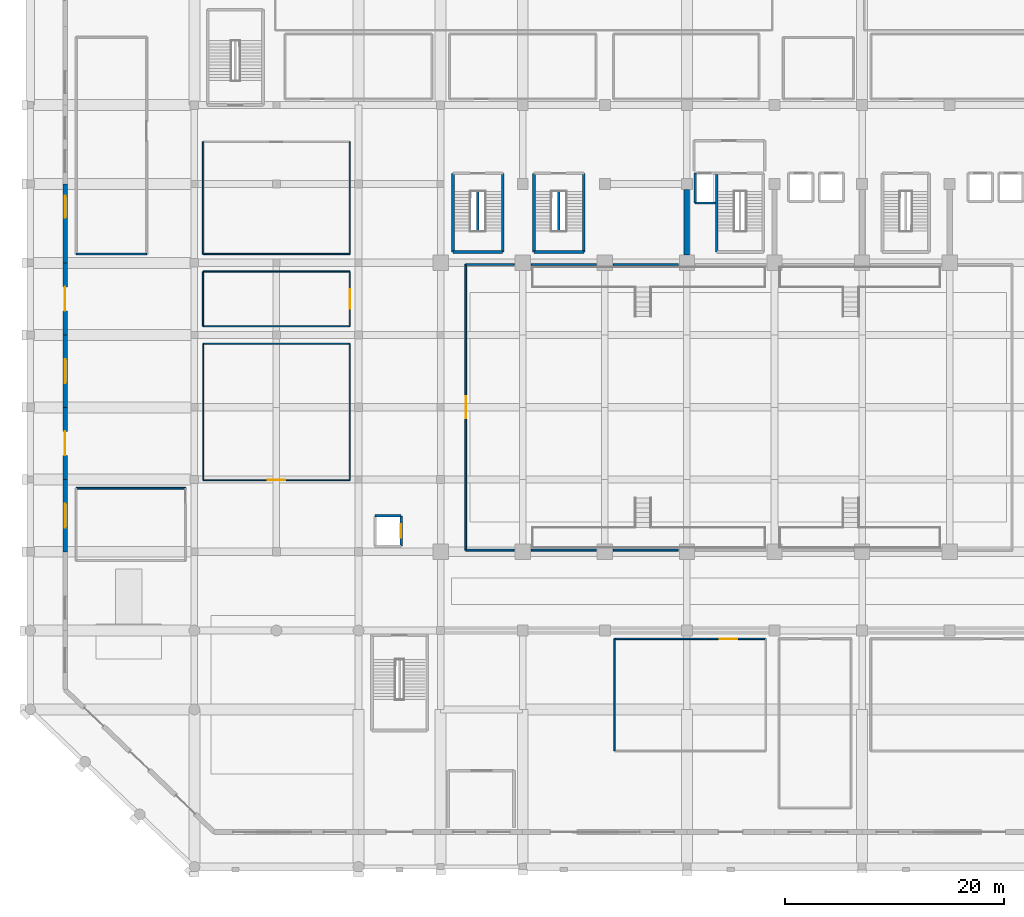
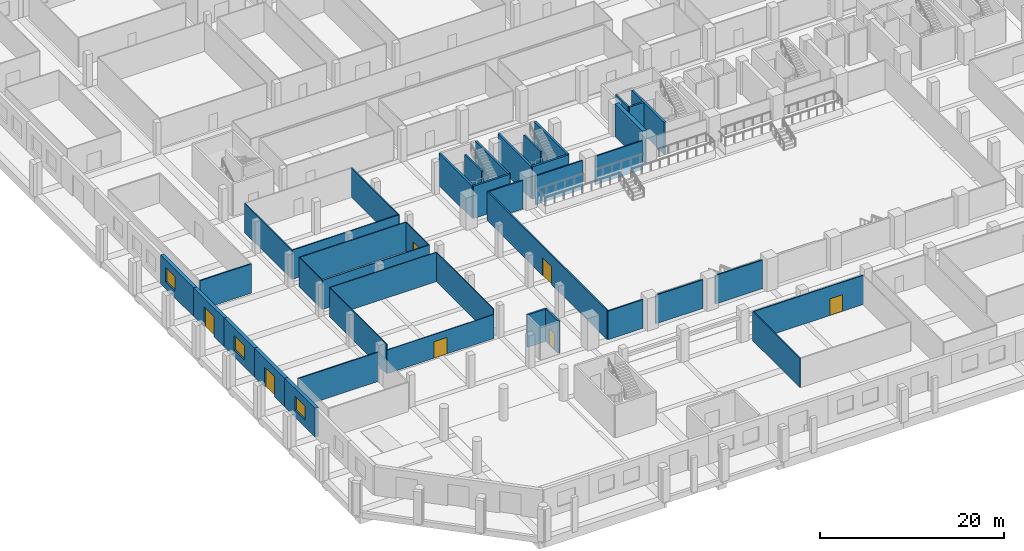
# One storey, part 12 of 33: 41 walls, 7 doors, 3 windows, 10 openings.
"""IFC4 building model written with IfcOpenShell, lengths in metres."""

import ifcopenshell
import ifcopenshell.guid

model = None  # the IFC model being written
_history = None  # IfcOwnerHistory: only IFC2X3 demands one
_inside = {}  # id of a spatial element -> (the spatial element, [elements in it])
_under = {}  # id of a project, library or spatial element -> (it, [spatial elements below it])
_declared = {}  # id of a project -> (the project, [libraries it declares])
_typed = {}  # id of a type object -> (the type object, [elements of that type])
_made_of = {}  # id of a material, layer set ... -> (it, [elements and type objects made of it])


def new_model(schema):
    """Start an empty IFC model of exactly this schema.

    Asked for "IFC4X3", IfcOpenShell would pick the latest addendum, in which some entities
    have other attributes; the version numbers below select the first issue.
    IFC2X3 requires an IfcOwnerHistory on every rooted entity: one is made here for all.
    """
    global model, _history
    if schema == "IFC4X3":
        model = ifcopenshell.file(schema_version=(4, 3, 0, 0))
    else:
        model = ifcopenshell.file(schema=schema)
    _inside.clear()
    _under.clear()
    _declared.clear()
    _typed.clear()
    _made_of.clear()
    _history = None
    if model.schema == "IFC2X3":
        org = make("IfcOrganization", Name="unknown")
        user = make(
            "IfcPersonAndOrganization",
            ThePerson=make("IfcPerson", FamilyName="unknown"),
            TheOrganization=org,
        )
        app = make(
            "IfcApplication",
            ApplicationDeveloper=org,
            Version="unknown",
            ApplicationFullName="unknown",
            ApplicationIdentifier="unknown",
        )
        _history = make(
            "IfcOwnerHistory",
            OwningUser=user,
            OwningApplication=app,
            ChangeAction="ADDED",
            CreationDate=0,
        )
    return model


def make(cls, **values):
    """One entity of the class cls with the attributes given. An attribute that is None is left unset."""
    return model.create_entity(
        cls, **{name: value for name, value in values.items() if value is not None}
    )


def rooted(cls, **values):
    """An entity with a GlobalId (a new one), such as an element, a storey or a relation."""
    return make(cls, GlobalId=ifcopenshell.guid.new(), OwnerHistory=_history, **values)


def si_unit(unit_type, name, prefix=None):
    """IfcSIUnit, for example si_unit("LENGTHUNIT", "METRE", prefix="MILLI")."""
    return make("IfcSIUnit", UnitType=unit_type, Prefix=prefix, Name=name)


def assignment(units):
    """IfcUnitAssignment: the units of a project."""
    return None if units is None else make("IfcUnitAssignment", Units=units)


def point(xyz):
    """IfcCartesianPoint."""
    return None if xyz is None else make("IfcCartesianPoint", Coordinates=xyz)


def direction(xyz):
    """IfcDirection."""
    return None if xyz is None else make("IfcDirection", DirectionRatios=xyz)


def frame(location, z_axis=None, x_axis=None):
    """IfcAxis2Placement3D, a coordinate frame: its origin and axes. An axis left out is left unset."""
    return make(
        "IfcAxis2Placement3D",
        Location=point(location),
        Axis=direction(z_axis),
        RefDirection=direction(x_axis),
    )


def frame_2d(location, x_axis=None):
    """IfcAxis2Placement2D, a coordinate frame in the plane: its origin and x axis."""
    return make(
        "IfcAxis2Placement2D", Location=point(location), RefDirection=direction(x_axis)
    )


def origin():
    """The frame at (0, 0, 0) with its axes left unset."""
    return frame((0.0, 0.0, 0.0))


def place(relative_to, where):
    """IfcLocalPlacement: puts the frame where relative to a parent placement (None: the world)."""
    return make(
        "IfcLocalPlacement", PlacementRelTo=relative_to, RelativePlacement=where
    )


def context(
    kind, dimensions, precision=None, world=None, true_north=None, identifier=None
):
    """IfcGeometricRepresentationContext, for example the 3D "Model" context."""
    return make(
        "IfcGeometricRepresentationContext",
        ContextIdentifier=identifier,
        ContextType=kind,
        CoordinateSpaceDimension=dimensions,
        Precision=precision,
        WorldCoordinateSystem=world,
        TrueNorth=true_north,
    )


def subcontext(parent, identifier, kind, view, scale=None):
    """IfcGeometricRepresentationSubContext, for example "Body" below "Model"."""
    return make(
        "IfcGeometricRepresentationSubContext",
        ContextIdentifier=identifier,
        ContextType=kind,
        ParentContext=parent,
        TargetScale=scale,
        TargetView=view,
    )


def project(units=None, contexts=None):
    """IfcProject with its units and contexts."""
    return rooted(
        "IfcProject",
        Name="project",
        RepresentationContexts=contexts,
        UnitsInContext=assignment(units),
    )


def spatial(cls, under=None, at=None, **own):
    """A site, building, storey or space (cls), placed at a placement, below another one or the project."""
    s = rooted(cls, ObjectPlacement=at, **own)
    if under is not None:
        _under.setdefault(under.id(), (under, []))[1].append(s)
    return s


def profile(cls, at=None, kind="AREA", **sizes):
    """A parametric profile (cls). Its sizes go by their IFC names, for example OverallWidth=200.0."""
    return make(cls, ProfileType=kind, Position=at, **sizes)


def rectangle(**sizes):
    """IfcRectangleProfileDef."""
    return profile("IfcRectangleProfileDef", **sizes)


def extrude(swept, where, along, depth):
    """IfcExtrudedAreaSolid: the profile swept, set in the frame where, extruded along a direction by depth."""
    return make(
        "IfcExtrudedAreaSolid",
        SweptArea=swept,
        Position=where,
        ExtrudedDirection=direction(along),
        Depth=depth,
    )


def shape(context_of_items, identifier, shape_type, items):
    """IfcShapeRepresentation: the items that make up one representation, for example the "Body"."""
    return make(
        "IfcShapeRepresentation",
        ContextOfItems=context_of_items,
        RepresentationIdentifier=identifier,
        RepresentationType=shape_type,
        Items=items,
    )


def material(Name=None, Category=None):
    """IfcMaterial."""
    return make("IfcMaterial", Name=Name, Category=Category)


def layer(
    of_material, thickness, ventilated=None, Name=None, Category=None, Priority=None
):
    """IfcMaterialLayer: one layer of a wall or slab, of a material (None: an air gap)."""
    return make(
        "IfcMaterialLayer",
        Material=of_material,
        LayerThickness=thickness,
        IsVentilated=ventilated,
        Name=Name,
        Category=Category,
        Priority=Priority,
    )


def layer_set(layers, Name=None):
    """IfcMaterialLayerSet."""
    return make("IfcMaterialLayerSet", MaterialLayers=layers, LayerSetName=Name)


def made_of(thing, what):
    """Note that an element or type object is made of a material, layer set ...; save() writes the relation."""
    if what is not None:
        _made_of.setdefault(what.id(), (what, []))[1].append(thing)
    return thing


def type_object(cls, material=None, **own):
    """A type object (cls), such as IfcWallType, which elements share."""
    return made_of(rooted(cls, **own), material)


def element(
    cls,
    number,
    at=None,
    inside=None,
    cuts=None,
    type_object=None,
    material=None,
    context=None,
    identifier="Body",
    shape_type=None,
    held_by="IfcProductDefinitionShape",
    body=None,
    shapes=None,
    **own,
):
    """One element of the class cls, such as IfcWall. Its Tag is "e" and its number.

    at: its placement. inside: the storey or other place that contains it. cuts: it is an
    opening in that element (IfcRelVoidsElement). A single representation is given by context,
    identifier, shape_type and body (its items); several are given by shapes. held_by: the class
    of the entity that holds the representations. save() writes the other relations.
    """
    e = rooted(cls, Tag="e%d" % number, ObjectPlacement=at, **own)
    if body is not None:
        shapes = [shape(context, identifier, shape_type, body)]
    if shapes is not None:
        e.Representation = make(held_by, Representations=shapes)
    if inside is not None:
        _inside.setdefault(inside.id(), (inside, []))[1].append(e)
    if cuts is not None:
        rooted(
            "IfcRelVoidsElement", RelatingBuildingElement=cuts, RelatedOpeningElement=e
        )
    if type_object is not None:
        _typed.setdefault(type_object.id(), (type_object, []))[1].append(e)
    return made_of(e, material)


def fill(opening, filler):
    """IfcRelFillsElement: the door or window that sits in an opening."""
    return rooted(
        "IfcRelFillsElement",
        RelatingOpeningElement=opening,
        RelatedBuildingElement=filler,
    )


def aggregate(whole, parts):
    """IfcRelAggregates: a whole, such as a stair, and the parts it consists of."""
    return rooted("IfcRelAggregates", RelatingObject=whole, RelatedObjects=parts)


def save(model, path):
    """Write the relations noted so far, then the file.

    IfcRelAggregates (storeys below a building ...), IfcRelContainedInSpatialStructure (elements
    in a storey), IfcRelDefinesByType, IfcRelAssociatesMaterial and IfcRelDeclares: one each for
    every whole, place, type object, material and project.
    """
    for whole, parts in _under.values():
        aggregate(whole, parts)
    for where, things in _inside.values():
        rooted(
            "IfcRelContainedInSpatialStructure",
            RelatedElements=things,
            RelatingStructure=where,
        )
    for kind, things in _typed.values():
        rooted("IfcRelDefinesByType", RelatedObjects=things, RelatingType=kind)
    for what, things in _made_of.values():
        rooted("IfcRelAssociatesMaterial", RelatedObjects=things, RelatingMaterial=what)
    for by, libraries in _declared.values():
        rooted("IfcRelDeclares", RelatingContext=by, RelatedDefinitions=libraries)
    model.write(path)


model = new_model("IFC4")

# Units and contexts
model_context = context("Model", 3, precision=1e-05, world=origin(), true_north=direction((0.0, 1.0)))
body_context = subcontext(model_context, "Body", "Model", "MODEL_VIEW")
ifc_project = project(units=[si_unit("LENGTHUNIT", "METRE"), si_unit("AREAUNIT", "SQUARE_METRE"), si_unit("VOLUMEUNIT", "CUBIC_METRE"), si_unit("PLANEANGLEUNIT", "RADIAN"), si_unit("MASSUNIT", "GRAM", prefix="KILO")], contexts=[model_context])

# Site, building, storey
site_placement = place(None, origin())
site = spatial("IfcSite", under=ifc_project, at=site_placement, CompositionType="ELEMENT")
building_placement = place(site_placement, origin())
building = spatial("IfcBuilding", under=site, at=building_placement, Name="Akrevak Sports Hall", CompositionType="ELEMENT")
storey_placement = place(building_placement, origin())
storey = spatial("IfcBuildingStorey", under=building, at=storey_placement, Name="L00", CompositionType="ELEMENT", Elevation=0.0)

# Wall, opening, window
ifc_material_1 = material(Name="Limestone Ashlar", Category="stone")
ifc_layer_1 = layer(ifc_material_1, 0.090087890625, Name="Limestone Ashlar")
ifc_material_2 = material(Name="Mineral Wool Thermal Insulation", Category="insulation")
ifc_layer_2 = layer(ifc_material_2, 0.110107421875, Name="Mineral Wool Thermal Insulation")
ifc_material_3 = material(Name="Concrete C40/50", Category="concrete")
ifc_layer_3 = layer(ifc_material_3, 0.219970703125, Name="Concrete C40/50")
ifc_layer_set_1 = layer_set([ifc_layer_1, ifc_layer_2, ifc_layer_3], Name="Limestone Ashlar / Mineral Wool Thermal Insulation / Concrete C40/50")
wall_type_1 = type_object("IfcWallType", Name="ARC-WL-EXT-420", PredefinedType="SOLIDWALL", material=ifc_layer_set_1)
wall_1_placement = place(storey_placement, frame((3.199951171875, 35.39990234375, 0.0), z_axis=(0.0, 0.0, 1.0), x_axis=(0.0, -1.0, 0.0)))
wall_1 = element("IfcWall", 1, at=wall_1_placement, inside=storey, type_object=wall_type_1, Name="West Boulevard Arcade Limestone Wall L00-W03", PredefinedType="SOLIDWALL", context=body_context, shape_type="SweptSolid", body=[
    extrude(rectangle(XDim=6.599853515625, YDim=0.419921875, at=frame_2d((3.2998046875, 0.0))), origin(), (0.0, 0.0, 1.0), 3.820068359375),
])
opening_1_placement = place(wall_1_placement, frame((2.199951171875, 0.0, 0.919921875)))
opening_1 = element("IfcOpeningElement", 2, at=opening_1_placement, cuts=wall_1, Name="Opening WN-27", PredefinedType="OPENING", context=body_context, shape_type="SweptSolid", body=[
    extrude(rectangle(XDim=2.199951171875, YDim=1.889892578125, at=frame_2d((1.10009765625, 0.94482421875))), frame((0.0, 0.221923828125, 0.0), z_axis=(0.0, -1.0, 0.0), x_axis=(1.0, 0.0, 0.0)), (0.0, 0.0, 1.0), 0.44384765625),
])
ifc_material_4 = material(Name="Thermally Broken Bronze Frame & Double Low-E Glass", Category="glass")
window_type_1 = type_object("IfcWindowType", Name="ARC-WIN-SZ-2200x1890", PartitioningType="SINGLE_PANEL", PredefinedType="WINDOW", material=ifc_material_4)
window_1_placement = place(opening_1_placement, origin())
window_1 = element("IfcWindow", 3, at=window_1_placement, inside=storey, type_object=window_type_1, Name="Beaux-Arts Facade Window WIN-L00-W03", OverallHeight=1.889892578125, OverallWidth=2.199951171875, PartitioningType="SINGLE_PANEL", PredefinedType="WINDOW", context=body_context, shape_type="SweptSolid", body=[
    extrude(rectangle(XDim=2.199951171875, YDim=1.889892578125, at=frame_2d((1.10009765625, 0.94482421875))), frame((0.0, 0.030029296875, 0.0), z_axis=(0.0, -1.0, 0.0), x_axis=(1.0, 0.0, 0.0)), (0.0, 0.0, 1.0), 0.06005859375),
])
fill(opening_1, window_1)

# Wall, opening, door
wall_2_placement = place(storey_placement, frame((3.199951171875, 42.0, 0.0), z_axis=(0.0, 0.0, 1.0), x_axis=(0.0, -1.0, 0.0)))
wall_2 = element("IfcWall", 4, at=wall_2_placement, inside=storey, type_object=wall_type_1, Name="West Boulevard Arcade Limestone Wall L00-W04", PredefinedType="SOLIDWALL", context=body_context, shape_type="SweptSolid", body=[
    extrude(rectangle(XDim=6.60009765625, YDim=0.419921875, at=frame_2d((3.300048828125, 0.0))), origin(), (0.0, 0.0, 1.0), 3.820068359375),
])
opening_2_placement = place(wall_2_placement, frame((2.199951171875, 0.0, 0.0)))
opening_2 = element("IfcOpeningElement", 5, at=opening_2_placement, cuts=wall_2, Name="Opening ED-02", PredefinedType="OPENING", context=body_context, shape_type="SweptSolid", body=[
    extrude(rectangle(XDim=2.199951171875, YDim=2.64990234375, at=frame_2d((1.10009765625, 1.324951171875))), frame((0.0, 0.221923828125, 0.0), z_axis=(0.0, -1.0, 0.0), x_axis=(1.0, 0.0, 0.0)), (0.0, 0.0, 1.0), 0.44384765625),
])
ifc_material_5 = material(Name="Anodized Bronze Aluminium & Tempered Glass", Category="aluminium")
door_type_1 = type_object("IfcDoorType", Name="ARC-DR-EXT-220x245", OperationType="DOUBLE_DOOR_SINGLE_SWING", PredefinedType="DOOR", material=ifc_material_5)
door_1_placement = place(opening_2_placement, frame((2.199951171875, 0.0, 0.0), z_axis=(0.0, 0.0, 1.0), x_axis=(-1.0, 0.0, 0.0)))
door_1 = element("IfcDoor", 6, at=door_1_placement, inside=storey, type_object=door_type_1, Name="West Boulevard Arcade Entrance ED06", OperationType="DOUBLE_DOOR_SINGLE_SWING", OverallHeight=2.64990234375, OverallWidth=2.199951171875, PredefinedType="DOOR", context=body_context, shape_type="SweptSolid", body=[
    extrude(rectangle(XDim=2.199951171875, YDim=2.64990234375, at=frame_2d((1.10009765625, 1.324951171875))), frame((0.0, 0.02490234375, 0.0), z_axis=(0.0, -1.0, 0.0), x_axis=(1.0, 0.0, 0.0)), (0.0, 0.0, 1.0), 0.050048828125),
])
fill(opening_2, door_1)

# Wall, opening, window
wall_3_placement = place(storey_placement, frame((3.199951171875, 48.60009765625, 0.0), z_axis=(0.0, 0.0, 1.0), x_axis=(0.0, -1.0, 0.0)))
wall_3 = element("IfcWall", 7, at=wall_3_placement, inside=storey, type_object=wall_type_1, Name="West Boulevard Arcade Limestone Wall L00-W05", PredefinedType="SOLIDWALL", context=body_context, shape_type="SweptSolid", body=[
    extrude(rectangle(XDim=6.60009765625, YDim=0.419921875, at=frame_2d((3.300048828125, 0.0))), origin(), (0.0, 0.0, 1.0), 3.820068359375),
])
opening_3_placement = place(wall_3_placement, frame((2.199951171875, 0.0, 0.919921875)))
opening_3 = element("IfcOpeningElement", 8, at=opening_3_placement, cuts=wall_3, Name="Opening WN-27", PredefinedType="OPENING", context=body_context, shape_type="SweptSolid", body=[
    extrude(rectangle(XDim=2.199951171875, YDim=1.889892578125, at=frame_2d((1.10009765625, 0.94482421875))), frame((0.0, 0.221923828125, 0.0), z_axis=(0.0, -1.0, 0.0), x_axis=(1.0, 0.0, 0.0)), (0.0, 0.0, 1.0), 0.44384765625),
])
window_2_placement = place(opening_3_placement, origin())
window_2 = element("IfcWindow", 9, at=window_2_placement, inside=storey, type_object=window_type_1, Name="Beaux-Arts Facade Window WIN-L00-W05", OverallHeight=1.889892578125, OverallWidth=2.199951171875, PartitioningType="SINGLE_PANEL", PredefinedType="WINDOW", context=body_context, shape_type="SweptSolid", body=[
    extrude(rectangle(XDim=2.199951171875, YDim=1.889892578125, at=frame_2d((1.10009765625, 0.94482421875))), frame((0.0, 0.030029296875, 0.0), z_axis=(0.0, -1.0, 0.0), x_axis=(1.0, 0.0, 0.0)), (0.0, 0.0, 1.0), 0.06005859375),
])
fill(opening_3, window_2)

# Wall, opening, door
wall_4_placement = place(storey_placement, frame((3.199951171875, 55.199951171875, 0.0), z_axis=(0.0, 0.0, 1.0), x_axis=(0.0, -1.0, 0.0)))
wall_4 = element("IfcWall", 10, at=wall_4_placement, inside=storey, type_object=wall_type_1, Name="West Boulevard Arcade Limestone Wall L00-W06", PredefinedType="SOLIDWALL", context=body_context, shape_type="SweptSolid", body=[
    extrude(rectangle(XDim=6.599853515625, YDim=0.419921875, at=frame_2d((3.2998046875, 0.0))), origin(), (0.0, 0.0, 1.0), 3.820068359375),
])
opening_4_placement = place(wall_4_placement, frame((2.199951171875, 0.0, 0.0)))
opening_4 = element("IfcOpeningElement", 11, at=opening_4_placement, cuts=wall_4, Name="Opening ED-02", PredefinedType="OPENING", context=body_context, shape_type="SweptSolid", body=[
    extrude(rectangle(XDim=2.199951171875, YDim=2.64990234375, at=frame_2d((1.10009765625, 1.324951171875))), frame((0.0, 0.221923828125, 0.0), z_axis=(0.0, -1.0, 0.0), x_axis=(1.0, 0.0, 0.0)), (0.0, 0.0, 1.0), 0.44384765625),
])
door_2_placement = place(opening_4_placement, frame((2.199951171875, 0.0, 0.0), z_axis=(0.0, 0.0, 1.0), x_axis=(-1.0, 0.0, 0.0)))
door_2 = element("IfcDoor", 12, at=door_2_placement, inside=storey, type_object=door_type_1, Name="West Boulevard Spectator Exit ED07", OperationType="DOUBLE_DOOR_SINGLE_SWING", OverallHeight=2.64990234375, OverallWidth=2.199951171875, PredefinedType="DOOR", context=body_context, shape_type="SweptSolid", body=[
    extrude(rectangle(XDim=2.199951171875, YDim=2.64990234375, at=frame_2d((1.10009765625, 1.324951171875))), frame((0.0, 0.02490234375, 0.0), z_axis=(0.0, -1.0, 0.0), x_axis=(1.0, 0.0, 0.0)), (0.0, 0.0, 1.0), 0.050048828125),
])
fill(opening_4, door_2)

# Wall, opening, window
wall_5_placement = place(storey_placement, frame((3.199951171875, 62.39990234375, 0.0), z_axis=(0.0, 0.0, 1.0), x_axis=(0.0, -1.0, 0.0)))
wall_5 = element("IfcWall", 13, at=wall_5_placement, inside=storey, type_object=wall_type_1, Name="West Boulevard Arcade Limestone Wall L00-W07", PredefinedType="SOLIDWALL", context=body_context, shape_type="SweptSolid", body=[
    extrude(rectangle(XDim=7.199951171875, YDim=0.419921875, at=frame_2d((3.60009765625, 0.0))), origin(), (0.0, 0.0, 1.0), 3.820068359375),
])
opening_5_placement = place(wall_5_placement, frame((1.087890625, 0.0, 0.919921875)))
opening_5 = element("IfcOpeningElement", 14, at=opening_5_placement, cuts=wall_5, Name="Opening WN-28", PredefinedType="OPENING", context=body_context, shape_type="SweptSolid", body=[
    extrude(rectangle(XDim=2.0, YDim=1.889892578125, at=frame_2d((1.0, 0.94482421875))), frame((0.0, 0.221923828125, 0.0), z_axis=(0.0, -1.0, 0.0), x_axis=(1.0, 0.0, 0.0)), (0.0, 0.0, 1.0), 0.44384765625),
])
window_type_2 = type_object("IfcWindowType", Name="ARC-WIN-SZ-2000x1890", PartitioningType="SINGLE_PANEL", PredefinedType="WINDOW", material=ifc_material_4)
window_3_placement = place(opening_5_placement, origin())
window_3 = element("IfcWindow", 15, at=window_3_placement, inside=storey, type_object=window_type_2, Name="Beaux-Arts Facade Window WIN-L00-W07-2", OverallHeight=1.889892578125, OverallWidth=2.0, PartitioningType="SINGLE_PANEL", PredefinedType="WINDOW", context=body_context, shape_type="SweptSolid", body=[
    extrude(rectangle(XDim=2.0, YDim=1.889892578125, at=frame_2d((1.0, 0.94482421875))), frame((0.0, 0.030029296875, 0.0), z_axis=(0.0, -1.0, 0.0), x_axis=(1.0, 0.0, 0.0)), (0.0, 0.0, 1.0), 0.06005859375),
])
fill(opening_5, window_3)

# Wall, opening, door
ifc_material_6 = material(Name="Sanitary Cubicle Partition", Category="gypsum")
ifc_layer_4 = layer(ifc_material_6, 0.10009765625, Name="Sanitary Cubicle Partition")
ifc_layer_set_2 = layer_set([ifc_layer_4], Name="Sanitary Cubicle Partition")
wall_type_2 = type_object("IfcWallType", Name="ARC-WL-PRT-100", PredefinedType="PARTITIONING", material=ifc_layer_set_2)
wall_6_placement = place(storey_placement, frame((15.800048828125, 35.35009765625, 0.0), z_axis=(0.0, 0.0, 1.0), x_axis=(1.0, 0.0, 0.0)))
wall_6 = element("IfcWall", 16, at=wall_6_placement, inside=storey, type_object=wall_type_2, Name="Interior Partition West Boulevard Sports Medicine Office L00-1 (S)", PredefinedType="PARTITIONING", context=body_context, shape_type="SweptSolid", body=[
    extrude(rectangle(XDim=13.39990234375, YDim=0.10009765625, at=frame_2d((6.699951171875, 0.0))), origin(), (0.0, 0.0, 1.0), 3.14990234375),
])
opening_6_placement = place(wall_6_placement, frame((5.89990234375, 0.0, 0.0)))
opening_6 = element("IfcOpeningElement", 17, at=opening_6_placement, cuts=wall_6, Name="Opening ID-03", PredefinedType="OPENING", context=body_context, shape_type="SweptSolid", body=[
    extrude(rectangle(XDim=1.60009765625, YDim=2.199951171875, at=frame_2d((0.800048828125, 1.10009765625))), frame((0.0, 0.06201171875, 0.0), z_axis=(0.0, -1.0, 0.0), x_axis=(1.0, 0.0, 0.0)), (0.0, 0.0, 1.0), 0.1240234375),
])
ifc_material_7 = material(Name="Hardwood Oak & Safety Glass", Category="wood")
door_type_2 = type_object("IfcDoorType", Name="ARC-DR-HALL-160x220", OperationType="DOUBLE_DOOR_SINGLE_SWING", PredefinedType="DOOR", material=ifc_material_7)
door_3_placement = place(opening_6_placement, origin())
door_3 = element("IfcDoor", 18, at=door_3_placement, inside=storey, type_object=door_type_2, Name="Door to West Boulevard Sports Medicine Office L00-1", OperationType="DOUBLE_DOOR_SINGLE_SWING", OverallHeight=2.199951171875, OverallWidth=1.60009765625, PredefinedType="DOOR", context=body_context, shape_type="SweptSolid", body=[
    extrude(rectangle(XDim=1.60009765625, YDim=2.199951171875, at=frame_2d((0.800048828125, 1.10009765625))), frame((0.0, 0.02490234375, 0.0), z_axis=(0.0, -1.0, 0.0), x_axis=(1.0, 0.0, 0.0)), (0.0, 0.0, 1.0), 0.050048828125),
])
fill(opening_6, door_3)

# Walls
wall_7_placement = place(storey_placement, frame((15.800048828125, 47.800048828125, 0.0), z_axis=(0.0, 0.0, 1.0), x_axis=(1.0, 0.0, 0.0)))
element("IfcWall", 19, at=wall_7_placement, inside=storey, type_object=wall_type_2, Name="Interior Partition West Boulevard Sports Medicine Office L00-1 (N)", PredefinedType="PARTITIONING", context=body_context, shape_type="SweptSolid", body=[
    extrude(rectangle(XDim=13.39990234375, YDim=0.10009765625, at=frame_2d((6.699951171875, 0.0))), origin(), (0.0, 0.0, 1.0), 3.8798828125),
])
for number, where, z_axis, x_axis, name in (
    (20, (15.800048828125, 35.35009765625, 0.0), (0.0, 0.0, 1.0), (0.0, 1.0, 0.0), "Interior Partition West Boulevard Sports Medicine Office L00-1 (W)"),
    (21, (29.199951171875, 35.35009765625, 0.0), (0.0, 0.0, 1.0), (0.0, 1.0, 0.0), "Interior Partition West Boulevard Sports Medicine Office L00-1 (E)"),
):
    element("IfcWall", number, at=place(storey_placement, frame(where, z_axis=z_axis, x_axis=x_axis)), inside=storey, type_object=wall_type_2, Name=name, PredefinedType="PARTITIONING", context=body_context, shape_type="SweptSolid", body=[
        extrude(rectangle(XDim=12.449951171875, YDim=0.10009765625, at=frame_2d((6.22509765625, 0.0))), origin(), (0.0, 0.0, 1.0), 3.8798828125),
    ])
ifc_material_8 = material(Name="Lightweight Office Partition", Category="gypsum")
ifc_layer_5 = layer(ifc_material_8, 0.110107421875, Name="Lightweight Office Partition")
ifc_layer_set_3 = layer_set([ifc_layer_5], Name="Lightweight Office Partition")
wall_type_3 = type_object("IfcWallType", Name="ARC-WL-PRT-110", PredefinedType="PARTITIONING", material=ifc_layer_set_3)
for number, where, z_axis, x_axis, name in (
    (22, (15.800048828125, 49.39990234375, 0.0), (0.0, 0.0, 1.0), (1.0, 0.0, 0.0), "Interior Partition West Wing Team Equipment Storage L00 (S)"),
    (23, (15.800048828125, 54.39990234375, 0.0), (0.0, 0.0, 1.0), (1.0, 0.0, 0.0), "Interior Partition West Wing Team Equipment Storage L00 (N)"),
):
    element("IfcWall", number, at=place(storey_placement, frame(where, z_axis=z_axis, x_axis=x_axis)), inside=storey, type_object=wall_type_3, Name=name, PredefinedType="PARTITIONING", context=body_context, shape_type="SweptSolid", body=[
        extrude(rectangle(XDim=13.39990234375, YDim=0.110107421875, at=frame_2d((6.699951171875, 0.0))), origin(), (0.0, 0.0, 1.0), 3.8798828125),
    ])
wall_8_placement = place(storey_placement, frame((15.800048828125, 49.39990234375, 0.0), z_axis=(0.0, 0.0, 1.0), x_axis=(0.0, 1.0, 0.0)))
element("IfcWall", 24, at=wall_8_placement, inside=storey, type_object=wall_type_3, Name="Interior Partition West Wing Team Equipment Storage L00 (W)", PredefinedType="PARTITIONING", context=body_context, shape_type="SweptSolid", body=[
    extrude(rectangle(XDim=5.0, YDim=0.110107421875, at=frame_2d((2.5, 0.0))), origin(), (0.0, 0.0, 1.0), 3.8798828125),
])

# Wall, opening, door
wall_9_placement = place(storey_placement, frame((29.199951171875, 49.39990234375, 0.0), z_axis=(0.0, 0.0, 1.0), x_axis=(0.0, 1.0, 0.0)))
wall_9 = element("IfcWall", 25, at=wall_9_placement, inside=storey, type_object=wall_type_3, Name="Interior Partition West Wing Team Equipment Storage L00 (E)", PredefinedType="PARTITIONING", context=body_context, shape_type="SweptSolid", body=[
    extrude(rectangle(XDim=5.0, YDim=0.110107421875, at=frame_2d((2.5, 0.0))), origin(), (0.0, 0.0, 1.0), 3.8798828125),
])
opening_7_placement = place(wall_9_placement, frame((1.60009765625, 0.0, 0.0)))
opening_7 = element("IfcOpeningElement", 26, at=opening_7_placement, cuts=wall_9, Name="Opening ID-02", PredefinedType="OPENING", context=body_context, shape_type="SweptSolid", body=[
    extrude(rectangle(XDim=1.800048828125, YDim=2.25, at=frame_2d((0.89990234375, 1.125))), frame((0.0, 0.06689453125, 0.0), z_axis=(0.0, -1.0, 0.0), x_axis=(1.0, 0.0, 0.0)), (0.0, 0.0, 1.0), 0.134033203125),
])
door_type_3 = type_object("IfcDoorType", Name="ARC-DR-HALL-180x225", OperationType="DOUBLE_DOOR_SINGLE_SWING", PredefinedType="DOOR", material=ifc_material_7)
door_4_placement = place(opening_7_placement, origin())
door_4 = element("IfcDoor", 27, at=door_4_placement, inside=storey, type_object=door_type_3, Name="Door to West Wing Team Equipment Storage L00", OperationType="DOUBLE_DOOR_SINGLE_SWING", OverallHeight=2.25, OverallWidth=1.800048828125, PredefinedType="DOOR", context=body_context, shape_type="SweptSolid", body=[
    extrude(rectangle(XDim=1.800048828125, YDim=2.25, at=frame_2d((0.89990234375, 1.125))), frame((0.0, 0.02490234375, 0.0), z_axis=(0.0, -1.0, 0.0), x_axis=(1.0, 0.0, 0.0)), (0.0, 0.0, 1.0), 0.050048828125),
])
fill(opening_7, door_4)

# Walls
ifc_material_9 = material(Name="Standard Metal Stud Partition", Category="gypsum")
ifc_layer_6 = layer(ifc_material_9, 0.1201171875, Name="Standard Metal Stud Partition")
ifc_layer_set_4 = layer_set([ifc_layer_6], Name="Standard Metal Stud Partition")
wall_type_4 = type_object("IfcWallType", Name="ARC-WL-PRT-120", PredefinedType="PARTITIONING", material=ifc_layer_set_4)
wall_10_placement = place(storey_placement, frame((15.800048828125, 56.0, 0.0), z_axis=(0.0, 0.0, 1.0), x_axis=(1.0, 0.0, 0.0)))
element("IfcWall", 28, at=wall_10_placement, inside=storey, type_object=wall_type_4, Name="Interior Partition West Athletes Preparation Office L00 (S)", PredefinedType="PARTITIONING", context=body_context, shape_type="SweptSolid", body=[
    extrude(rectangle(XDim=13.39990234375, YDim=0.1201171875, at=frame_2d((6.699951171875, 0.0))), origin(), (0.0, 0.0, 1.0), 3.8798828125),
])
for number, where, z_axis, x_axis, name in (
    (29, (15.800048828125, 56.0, 0.0), (0.0, 0.0, 1.0), (0.0, 1.0, 0.0), "Interior Partition West Athletes Preparation Office L00 (W)"),
    (30, (29.199951171875, 56.0, 0.0), (0.0, 0.0, 1.0), (0.0, 1.0, 0.0), "Interior Partition West Athletes Preparation Office L00 (E)"),
):
    element("IfcWall", number, at=place(storey_placement, frame(where, z_axis=z_axis, x_axis=x_axis)), inside=storey, type_object=wall_type_4, Name=name, PredefinedType="PARTITIONING", context=body_context, shape_type="SweptSolid", body=[
        extrude(rectangle(XDim=10.25, YDim=0.1201171875, at=frame_2d((5.125, 0.0))), origin(), (0.0, 0.0, 1.0), 3.8798828125),
    ])

# Wall, opening, door
ifc_material_10 = material(Name="Acoustic Metal Stud Partition", Category="gypsum")
ifc_layer_7 = layer(ifc_material_10, 0.1298828125, Name="Acoustic Metal Stud Partition")
ifc_layer_set_5 = layer_set([ifc_layer_7], Name="Acoustic Metal Stud Partition")
wall_type_5 = type_object("IfcWallType", Name="ARC-WL-PRT-130", PredefinedType="PARTITIONING", material=ifc_layer_set_5)
wall_11_placement = place(storey_placement, frame((53.39990234375, 20.85009765625, 0.0), z_axis=(0.0, 0.0, 1.0), x_axis=(1.0, 0.0, 0.0)))
wall_11 = element("IfcWall", 31, at=wall_11_placement, inside=storey, type_object=wall_type_5, Name="Interior Partition Sports Clinic Reception & Trauma Triage (N)", PredefinedType="PARTITIONING", context=body_context, shape_type="SweptSolid", body=[
    extrude(rectangle(XDim=13.800048828125, YDim=0.1298828125, at=frame_2d((6.89990234375, 0.0))), origin(), (0.0, 0.0, 1.0), 3.8798828125),
])
opening_8_placement = place(wall_11_placement, frame((9.60009765625, 0.0, 0.0)))
opening_8 = element("IfcOpeningElement", 32, at=opening_8_placement, cuts=wall_11, Name="Opening ID-03", PredefinedType="OPENING", context=body_context, shape_type="SweptSolid", body=[
    extrude(rectangle(XDim=1.60009765625, YDim=2.199951171875, at=frame_2d((0.800048828125, 1.10009765625))), frame((0.0, 0.076904296875, 0.0), z_axis=(0.0, -1.0, 0.0), x_axis=(1.0, 0.0, 0.0)), (0.0, 0.0, 1.0), 0.15380859375),
])
door_5_placement = place(opening_8_placement, origin())
door_5 = element("IfcDoor", 33, at=door_5_placement, inside=storey, type_object=door_type_2, Name="Door to Sports Clinic Reception & Trauma Triage", OperationType="DOUBLE_DOOR_SINGLE_SWING", OverallHeight=2.199951171875, OverallWidth=1.60009765625, PredefinedType="DOOR", context=body_context, shape_type="SweptSolid", body=[
    extrude(rectangle(XDim=1.60009765625, YDim=2.199951171875, at=frame_2d((0.800048828125, 1.10009765625))), frame((0.0, 0.02490234375, 0.0), z_axis=(0.0, -1.0, 0.0), x_axis=(1.0, 0.0, 0.0)), (0.0, 0.0, 1.0), 0.050048828125),
])
fill(opening_8, door_5)

# Walls
wall_12_placement = place(storey_placement, frame((53.39990234375, 10.60009765625, 0.0), z_axis=(0.0, 0.0, 1.0), x_axis=(0.0, 1.0, 0.0)))
element("IfcWall", 34, at=wall_12_placement, inside=storey, type_object=wall_type_5, Name="Interior Partition Sports Clinic Reception & Trauma Triage (W)", PredefinedType="PARTITIONING", context=body_context, shape_type="SweptSolid", body=[
    extrude(rectangle(XDim=10.25, YDim=0.1298828125, at=frame_2d((5.125, 0.0))), origin(), (0.0, 0.0, 1.0), 3.8798828125),
])
ifc_material_11 = material(Name="Double Stud Acoustic Gypsum Partition", Category="gypsum")
ifc_layer_8 = layer(ifc_material_11, 0.14990234375, Name="Double Stud Acoustic Gypsum Partition")
ifc_layer_set_6 = layer_set([ifc_layer_8], Name="Double Stud Acoustic Gypsum Partition")
wall_type_6 = type_object("IfcWallType", Name="ARC-WL-PRT-150", PredefinedType="PARTITIONING", material=ifc_layer_set_6)
wall_13_placement = place(storey_placement, frame((4.199951171875, 34.60009765625, 0.0), z_axis=(0.0, 0.0, 1.0), x_axis=(1.0, 0.0, 0.0)))
element("IfcWall", 35, at=wall_13_placement, inside=storey, type_object=wall_type_6, Name="Interior Partition Rotunda North Federation Office L00 (N)", PredefinedType="PARTITIONING", context=body_context, shape_type="SweptSolid", body=[
    extrude(rectangle(XDim=10.0, YDim=0.14990234375, at=frame_2d((5.0, 0.0))), origin(), (0.0, 0.0, 1.0), 3.8798828125),
])
ifc_material_12 = material(Name="Double Stud Fireboard Partition", Category="gypsum")
ifc_layer_9 = layer(ifc_material_12, 0.1650390625, Name="Double Stud Fireboard Partition")
ifc_layer_set_7 = layer_set([ifc_layer_9], Name="Double Stud Fireboard Partition")
wall_type_7 = type_object("IfcWallType", Name="ARC-WL-PRT-165", PredefinedType="PARTITIONING", material=ifc_layer_set_7)
wall_14_placement = place(storey_placement, frame((39.800048828125, 28.949951171875, 0.0), z_axis=(0.0, 0.0, 1.0), x_axis=(1.0, 0.0, 0.0)))
element("IfcWall", 36, at=wall_14_placement, inside=storey, type_object=wall_type_7, Name="Interior Partition Sports Hall 1 - Handball Court (S) Segment 1", PredefinedType="PARTITIONING", context=body_context, shape_type="SweptSolid", body=[
    extrude(rectangle(XDim=4.419921875, YDim=0.1650390625, at=frame_2d((2.2099609375, 0.0))), origin(), (0.0, 0.0, 1.0), 3.800048828125),
])
for number, where, z_axis, x_axis, name in (
    (37, (45.780029296875, 28.949951171875, 0.0), (0.0, 0.0, 1.0), (1.0, 0.0, 0.0), "Interior Partition Sports Hall 1 - Handball Court (S) Segment 2"),
    (38, (53.280029296875, 28.949951171875, 0.0), (0.0, 0.0, 1.0), (1.0, 0.0, 0.0), "Interior Partition Sports Hall 1 - Handball Court (S) Segment 3"),
):
    element("IfcWall", number, at=place(storey_placement, frame(where, z_axis=z_axis, x_axis=x_axis)), inside=storey, type_object=wall_type_7, Name=name, PredefinedType="PARTITIONING", context=body_context, shape_type="SweptSolid", body=[
        extrude(rectangle(XDim=5.93994140625, YDim=0.1650390625, at=frame_2d((2.969970703125, 0.0))), origin(), (0.0, 0.0, 1.0), 3.800048828125),
    ])
wall_15_placement = place(storey_placement, frame((39.800048828125, 55.050048828125, 0.0), z_axis=(0.0, 0.0, 1.0), x_axis=(1.0, 0.0, 0.0)))
element("IfcWall", 39, at=wall_15_placement, inside=storey, type_object=wall_type_7, Name="Interior Partition Sports Hall 1 - Handball Court (N) Segment 1", PredefinedType="PARTITIONING", context=body_context, shape_type="SweptSolid", body=[
    extrude(rectangle(XDim=4.419921875, YDim=0.1650390625, at=frame_2d((2.2099609375, 0.0))), origin(), (0.0, 0.0, 1.0), 3.800048828125),
])
for number, where, z_axis, x_axis, name in (
    (40, (45.780029296875, 55.050048828125, 0.0), (0.0, 0.0, 1.0), (1.0, 0.0, 0.0), "Interior Partition Sports Hall 1 - Handball Court (N) Segment 2"),
    (41, (53.280029296875, 55.050048828125, 0.0), (0.0, 0.0, 1.0), (1.0, 0.0, 0.0), "Interior Partition Sports Hall 1 - Handball Court (N) Segment 3"),
):
    element("IfcWall", number, at=place(storey_placement, frame(where, z_axis=z_axis, x_axis=x_axis)), inside=storey, type_object=wall_type_7, Name=name, PredefinedType="PARTITIONING", context=body_context, shape_type="SweptSolid", body=[
        extrude(rectangle(XDim=5.93994140625, YDim=0.1650390625, at=frame_2d((2.969970703125, 0.0))), origin(), (0.0, 0.0, 1.0), 3.800048828125),
    ])

# Wall, opening, door
wall_16_placement = place(storey_placement, frame((39.800048828125, 28.949951171875, 0.0), z_axis=(0.0, 0.0, 1.0), x_axis=(0.0, 1.0, 0.0)))
wall_16 = element("IfcWall", 42, at=wall_16_placement, inside=storey, type_object=wall_type_7, Name="Interior Partition Sports Hall 1 - Handball Court (W)", PredefinedType="PARTITIONING", context=body_context, shape_type="SweptSolid", body=[
    extrude(rectangle(XDim=26.10009765625, YDim=0.1650390625, at=frame_2d((13.050048828125, 0.0))), origin(), (0.0, 0.0, 1.0), 3.8798828125),
])
opening_9_placement = place(wall_16_placement, frame((12.050048828125, 0.0, 0.0)))
opening_9 = element("IfcOpeningElement", 43, at=opening_9_placement, cuts=wall_16, Name="Opening ID-01", PredefinedType="OPENING", context=body_context, shape_type="SweptSolid", body=[
    extrude(rectangle(XDim=2.0, YDim=2.35009765625, at=frame_2d((1.0, 1.175048828125))), frame((0.0, 0.094482421875, 0.0), z_axis=(0.0, -1.0, 0.0), x_axis=(1.0, 0.0, 0.0)), (0.0, 0.0, 1.0), 0.18896484375),
])
door_type_4 = type_object("IfcDoorType", Name="ARC-DR-HALL-200x235", OperationType="DOUBLE_DOOR_SINGLE_SWING", PredefinedType="DOOR", material=ifc_material_7)
door_6_placement = place(opening_9_placement, origin())
door_6 = element("IfcDoor", 44, at=door_6_placement, inside=storey, type_object=door_type_4, Name="Door to Sports Hall 1 - Handball Court", OperationType="DOUBLE_DOOR_SINGLE_SWING", OverallHeight=2.35009765625, OverallWidth=2.0, PredefinedType="DOOR", context=body_context, shape_type="SweptSolid", body=[
    extrude(rectangle(XDim=2.0, YDim=2.35009765625, at=frame_2d((1.0, 1.175048828125))), frame((0.0, 0.02490234375, 0.0), z_axis=(0.0, -1.0, 0.0), x_axis=(1.0, 0.0, 0.0)), (0.0, 0.0, 1.0), 0.050048828125),
])
fill(opening_9, door_6)

# Walls
wall_17_placement = place(storey_placement, frame((4.199951171875, 56.0, 0.0), z_axis=(0.0, 0.0, 1.0), x_axis=(1.0, 0.0, 0.0)))
element("IfcWall", 45, at=wall_17_placement, inside=storey, type_object=wall_type_7, Name="Interior Partition West Boulevard Conditioning Studio L00 (S)", PredefinedType="PARTITIONING", context=body_context, shape_type="SweptSolid", body=[
    extrude(rectangle(XDim=6.449951171875, YDim=0.1650390625, at=frame_2d((3.22509765625, 0.0))), origin(), (0.0, 0.0, 1.0), 3.8798828125),
])
ifc_layer_10 = layer(ifc_material_3, 0.219970703125, Name="Concrete C40/50")
ifc_layer_set_8 = layer_set([ifc_layer_10], Name="Concrete C40/50")
wall_type_8 = type_object("IfcWallType", Name="ARC-WL-PRT-220", PredefinedType="PARTITIONING", material=ifc_layer_set_8)
for number, where, z_axis, x_axis, name in (
    (46, (48.300048828125, 58.094970703125, 0.0), (0.0, 0.0, 1.0), (0.0, 1.0, 0.0), "Stair ST4 Central Spine Wall (L00)"),
    (47, (40.89990234375, 58.094970703125, 0.0), (0.0, 0.0, 1.0), (0.0, 1.0, 0.0), "Stair ST9 Central Spine Wall (L00)"),
):
    element("IfcWall", number, at=place(storey_placement, frame(where, z_axis=z_axis, x_axis=x_axis)), inside=storey, type_object=wall_type_8, Name=name, PredefinedType="PARTITIONING", context=body_context, shape_type="SweptSolid", body=[
        extrude(rectangle(XDim=3.64013671875, YDim=0.219970703125, at=frame_2d((1.820068359375, 0.0))), origin(), (0.0, 0.0, 1.0), 4.300048828125),
    ])
ifc_material_13 = material(Name="Concrete C50/60", Category="concrete")
ifc_layer_11 = layer(ifc_material_13, 0.219970703125, Name="Concrete C50/60")
ifc_layer_set_9 = layer_set([ifc_layer_11], Name="Concrete C50/60")
wall_type_9 = type_object("IfcWallType", Name="ARC-WL-SHAFT-220", PredefinedType="SHEAR", material=ifc_layer_set_9)
wall_18_placement = place(storey_placement, frame((60.760009765625, 60.659912109375, 0.0), z_axis=(0.0, 0.0, 1.0), x_axis=(1.0, 0.0, 0.0)))
element("IfcWall", 48, at=wall_18_placement, inside=storey, type_object=wall_type_9, Name="Lift Shaft LF-FF1 Wall S (L00)", PredefinedType="SHEAR", context=body_context, shape_type="SweptSolid", body=[
    extrude(rectangle(XDim=1.840087890625, YDim=0.219970703125, at=frame_2d((0.919921875, 0.0))), origin(), (0.0, 0.0, 1.0), 4.300048828125),
])
wall_19_placement = place(storey_placement, frame((60.760009765625, 63.389892578125, 0.0), z_axis=(0.0, 0.0, 1.0), x_axis=(0.0, -1.0, 0.0)))
element("IfcWall", 49, at=wall_19_placement, inside=storey, type_object=wall_type_9, Name="Lift Shaft LF-FF1 Wall W (L00)", PredefinedType="SHEAR", context=body_context, shape_type="SweptSolid", body=[
    extrude(rectangle(XDim=2.72998046875, YDim=0.219970703125, at=frame_2d((1.364990234375, 0.0))), origin(), (0.0, 0.0, 1.0), 4.300048828125),
])
wall_20_placement = place(storey_placement, frame((33.889892578125, 32.090087890625, 0.0), z_axis=(0.0, 0.0, 1.0), x_axis=(-1.0, 0.0, 0.0)))
element("IfcWall", 50, at=wall_20_placement, inside=storey, type_object=wall_type_9, Name="Lift Shaft LF-G1 Wall N (L00)", PredefinedType="SHEAR", context=body_context, shape_type="SweptSolid", body=[
    extrude(rectangle(XDim=2.3798828125, YDim=0.219970703125, at=frame_2d((1.18994140625, 0.0))), origin(), (0.0, 0.0, 1.0), 4.300048828125),
])

# Wall, opening, door
wall_21_placement = place(storey_placement, frame((33.889892578125, 29.31005859375, 0.0), z_axis=(0.0, 0.0, 1.0), x_axis=(0.0, 1.0, 0.0)))
wall_21 = element("IfcWall", 51, at=wall_21_placement, inside=storey, type_object=wall_type_9, Name="Lift Shaft LF-G1 Wall E (L00)", PredefinedType="SHEAR", context=body_context, shape_type="SweptSolid", body=[
    extrude(rectangle(XDim=2.780029296875, YDim=0.219970703125, at=frame_2d((1.39013671875, 0.0))), origin(), (0.0, 0.0, 1.0), 4.300048828125),
])
opening_10_placement = place(wall_21_placement, frame((0.7900390625, 0.0, 0.0)))
opening_10 = element("IfcOpeningElement", 52, at=opening_10_placement, cuts=wall_21, Name="Opening LD-02", PredefinedType="OPENING", context=body_context, shape_type="SweptSolid", body=[
    extrude(rectangle(XDim=1.199951171875, YDim=2.199951171875, at=frame_2d((0.60009765625, 1.10009765625))), frame((0.0, 0.1220703125, 0.0), z_axis=(0.0, -1.0, 0.0), x_axis=(1.0, 0.0, 0.0)), (0.0, 0.0, 1.0), 0.243896484375),
])
ifc_material_14 = material(Name="Brushed Stainless Steel 304", Category="steel")
door_type_5 = type_object("IfcDoorType", Name="ARC-DR-LD-120x220", OperationType="SLIDING_TO_RIGHT", PredefinedType="DOOR", material=ifc_material_14)
door_7_placement = place(opening_10_placement, origin())
door_7 = element("IfcDoor", 53, at=door_7_placement, inside=storey, type_object=door_type_5, Name="Lift LF-G1 Sliding Landing Door (L00)", OperationType="SLIDING_TO_LEFT", OverallHeight=2.199951171875, OverallWidth=1.199951171875, PredefinedType="DOOR", context=body_context, shape_type="SweptSolid", body=[
    extrude(rectangle(XDim=1.199951171875, YDim=2.199951171875, at=frame_2d((0.60009765625, 1.10009765625))), frame((0.0, 0.02490234375, 0.0), z_axis=(0.0, -1.0, 0.0), x_axis=(1.0, 0.0, 0.0)), (0.0, 0.0, 1.0), 0.050048828125),
])
fill(opening_10, door_7)

# Walls
ifc_layer_12 = layer(ifc_material_13, 0.5, Name="Concrete C50/60")
ifc_layer_set_10 = layer_set([ifc_layer_12], Name="Concrete C50/60")
wall_type_10 = type_object("IfcWallType", Name="STR-WL-CORE-500", PredefinedType="SHEAR", material=ifc_layer_set_10)
wall_22_placement = place(storey_placement, frame((60.0, 55.89990234375, 0.0), z_axis=(0.0, 0.0, 1.0), x_axis=(0.0, 1.0, 0.0)))
element("IfcWall", 54, at=wall_22_placement, inside=storey, type_object=wall_type_10, Name="Reinforced Concrete Shear Wall SW-W2 (L00)", PredefinedType="SHEAR", context=body_context, shape_type="SweptSolid", body=[
    extrude(rectangle(XDim=6.0, YDim=0.5, at=frame_2d((3.0, 0.0))), origin(), (0.0, 0.0, 1.0), 4.300048828125),
])
ifc_layer_13 = layer(ifc_material_13, 0.25, Name="Concrete C50/60")
ifc_layer_set_11 = layer_set([ifc_layer_13], Name="Concrete C50/60")
wall_type_11 = type_object("IfcWallType", Name="STR-WL-STAIR-250", PredefinedType="SHEAR", material=ifc_layer_set_11)
wall_23_placement = place(storey_placement, frame((62.72509765625, 63.25, 0.0), z_axis=(0.0, 0.0, 1.0), x_axis=(0.0, -1.0, 0.0)))
element("IfcWall", 55, at=wall_23_placement, inside=storey, type_object=wall_type_11, Name="Stair Core ST1 Shear Wall W (L00)", PredefinedType="SHEAR", context=body_context, shape_type="SweptSolid", body=[
    extrude(rectangle(XDim=7.074951171875, YDim=0.25, at=frame_2d((3.53759765625, 0.0))), origin(), (0.0, 0.0, 1.0), 4.300048828125),
])
wall_24_placement = place(storey_placement, frame((46.02490234375, 56.175048828125, 0.0), z_axis=(0.0, 0.0, 1.0), x_axis=(1.0, 0.0, 0.0)))
element("IfcWall", 56, at=wall_24_placement, inside=storey, type_object=wall_type_11, Name="Stair Core ST4 Shear Wall S (L00)", PredefinedType="SHEAR", context=body_context, shape_type="SweptSolid", body=[
    extrude(rectangle(XDim=4.550048828125, YDim=0.25, at=frame_2d((2.27490234375, 0.0))), origin(), (0.0, 0.0, 1.0), 4.300048828125),
])
for number, where, z_axis, x_axis, name in (
    (57, (46.02490234375, 63.375, 0.0), (0.0, 0.0, 1.0), (0.0, -1.0, 0.0), "Stair Core ST4 Shear Wall W (L00)"),
    (58, (50.574951171875, 56.175048828125, 0.0), (0.0, 0.0, 1.0), (0.0, 1.0, 0.0), "Stair Core ST4 Shear Wall E (L00)"),
):
    element("IfcWall", number, at=place(storey_placement, frame(where, z_axis=z_axis, x_axis=x_axis)), inside=storey, type_object=wall_type_11, Name=name, PredefinedType="SHEAR", context=body_context, shape_type="SweptSolid", body=[
        extrude(rectangle(XDim=7.199951171875, YDim=0.25, at=frame_2d((3.60009765625, 0.0))), origin(), (0.0, 0.0, 1.0), 4.300048828125),
    ])
wall_25_placement = place(storey_placement, frame((38.625, 56.175048828125, 0.0), z_axis=(0.0, 0.0, 1.0), x_axis=(1.0, 0.0, 0.0)))
element("IfcWall", 59, at=wall_25_placement, inside=storey, type_object=wall_type_11, Name="Stair Core ST9 Shear Wall S (L00)", PredefinedType="SHEAR", context=body_context, shape_type="SweptSolid", body=[
    extrude(rectangle(XDim=4.550048828125, YDim=0.25, at=frame_2d((2.27490234375, 0.0))), origin(), (0.0, 0.0, 1.0), 4.300048828125),
])
for number, where, z_axis, x_axis, name in (
    (60, (38.625, 63.375, 0.0), (0.0, 0.0, 1.0), (0.0, -1.0, 0.0), "Stair Core ST9 Shear Wall W (L00)"),
    (61, (43.175048828125, 56.175048828125, 0.0), (0.0, 0.0, 1.0), (0.0, 1.0, 0.0), "Stair Core ST9 Shear Wall E (L00)"),
):
    element("IfcWall", number, at=place(storey_placement, frame(where, z_axis=z_axis, x_axis=x_axis)), inside=storey, type_object=wall_type_11, Name=name, PredefinedType="SHEAR", context=body_context, shape_type="SweptSolid", body=[
        extrude(rectangle(XDim=7.199951171875, YDim=0.25, at=frame_2d((3.60009765625, 0.0))), origin(), (0.0, 0.0, 1.0), 4.300048828125),
    ])

save(model, "model.ifc")
